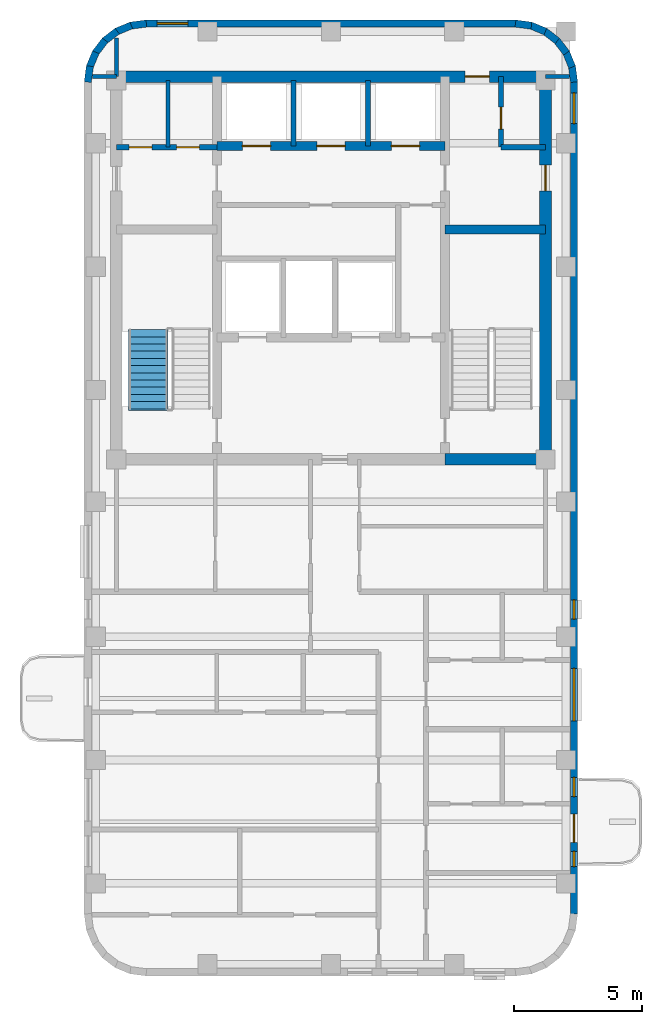
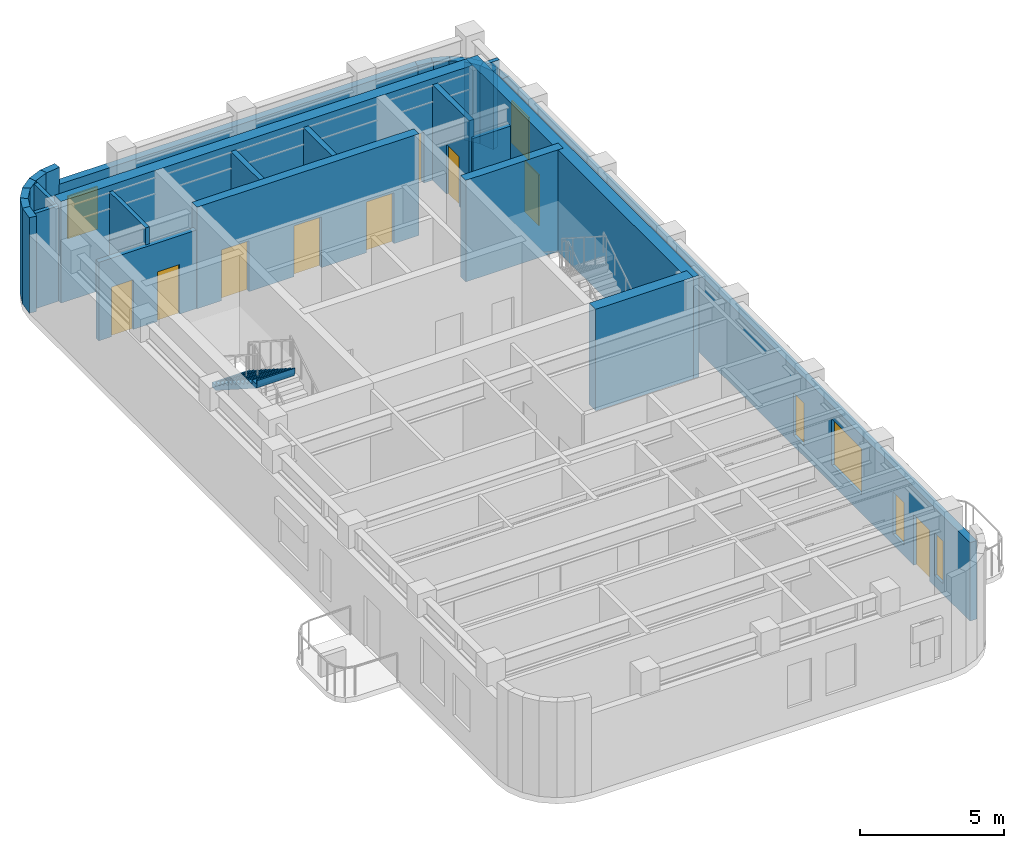
# One storey, part 4 of 6: 28 walls, 9 doors, 6 windows, 1 stair flight, 15 openings, 1 element without a shape of its own.
"""IFC4 building model written with IfcOpenShell, lengths in metres."""

from ifc_helpers import new_model, si_unit, direction, frame, frame_2d, origin, place, context, subcontext, project, spatial, polyline, rectangle, outline, extrude, material, layer, layer_set, type_object, element, fill, aggregate, save


model = new_model("IFC4")

# Units and contexts
model_context = context("Model", 3, precision=1e-05, world=origin(), true_north=direction((0.0, 1.0)))
body_context = subcontext(model_context, "Body", "Model", "MODEL_VIEW")
ifc_project = project(units=[si_unit("LENGTHUNIT", "METRE"), si_unit("AREAUNIT", "SQUARE_METRE"), si_unit("VOLUMEUNIT", "CUBIC_METRE"), si_unit("PLANEANGLEUNIT", "RADIAN"), si_unit("MASSUNIT", "GRAM", prefix="KILO")], contexts=[model_context])

# Site, building, storey
site_placement = place(None, origin())
site = spatial("IfcSite", under=ifc_project, at=site_placement, CompositionType="ELEMENT")
building_placement = place(site_placement, origin())
building = spatial("IfcBuilding", under=site, at=building_placement, Name="Orvandelia Arch Residences", CompositionType="ELEMENT")
storey_placement = place(building_placement, frame((0.0, 0.0, 265.60009765625)))
storey = spatial("IfcBuildingStorey", under=building, at=storey_placement, Name="L69", CompositionType="ELEMENT", Elevation=265.60009765625)

# Wall
ifc_material_1 = material(Name="Concrete C50/60", Category="concrete")
ifc_layer_1 = layer(ifc_material_1, 0.35009765625, Name="Concrete C50/60", Category="concrete")
ifc_layer_set_1 = layer_set([ifc_layer_1], Name="Concrete C50/60")
wall_type_1 = type_object("IfcWallType", Name="WL-CORE-350", PredefinedType="SHEAR", material=ifc_layer_set_1)
wall_1_placement = place(storey_placement, frame((18.840087890625, 39.85009765625, 0.0), z_axis=(0.0, 0.0, 1.0), x_axis=(1.0, 0.0, 0.0)))
element("IfcWall", 1, at=wall_1_placement, inside=storey, type_object=wall_type_1, Name="Core Shear Wall L69-HZ2", PredefinedType="SHEAR", context=body_context, shape_type="SweptSolid", body=[
    extrude(rectangle(XDim=3.909912109375, YDim=0.35009765625, at=frame_2d((1.955078125, 0.0))), origin(), (0.0, 0.0, 1.0), 4.2998046875),
])

# Wall, openings, doors
wall_2_placement = place(storey_placement, frame((9.9599609375, 43.10009765625, 0.0), z_axis=(0.0, 0.0, 1.0), x_axis=(1.0, 0.0, 0.0)))
wall_2 = element("IfcWall", 2, at=wall_2_placement, inside=storey, type_object=wall_type_1, Name="Core Shear Wall L69-HZ4", PredefinedType="SHEAR", context=body_context, shape_type="SweptSolid", body=[
    extrude(rectangle(XDim=8.880126953125, YDim=0.35009765625, at=frame_2d((4.43994140625, 0.0))), origin(), (0.0, 0.0, 1.0), 4.2998046875),
])
opening_1_placement = place(wall_2_placement, frame((0.989990234375, 0.0, 0.0)))
opening_1 = element("IfcOpeningElement", 3, at=opening_1_placement, cuts=wall_2, Name="Opening LD", PredefinedType="OPENING", context=body_context, shape_type="SweptSolid", body=[
    extrude(rectangle(XDim=1.10009765625, YDim=2.14990234375, at=frame_2d((0.550048828125, 1.074951171875))), frame((0.0, 0.18505859375, 0.0), z_axis=(0.0, -1.0, 0.0), x_axis=(1.0, 0.0, 0.0)), (0.0, 0.0, 1.0), 0.3701171875),
])
opening_2_placement = place(wall_2_placement, frame((3.889892578125, 0.0, 0.0)))
opening_2 = element("IfcOpeningElement", 4, at=opening_2_placement, cuts=wall_2, Name="Opening LD", PredefinedType="OPENING", context=body_context, shape_type="SweptSolid", body=[
    extrude(rectangle(XDim=1.10009765625, YDim=2.14990234375, at=frame_2d((0.550048828125, 1.074951171875))), frame((0.0, 0.18505859375, 0.0), z_axis=(0.0, -1.0, 0.0), x_axis=(1.0, 0.0, 0.0)), (0.0, 0.0, 1.0), 0.3701171875),
])
opening_3_placement = place(wall_2_placement, frame((6.7900390625, 0.0, 0.0)))
opening_3 = element("IfcOpeningElement", 5, at=opening_3_placement, cuts=wall_2, Name="Opening LD", PredefinedType="OPENING", context=body_context, shape_type="SweptSolid", body=[
    extrude(rectangle(XDim=1.10009765625, YDim=2.14990234375, at=frame_2d((0.550048828125, 1.074951171875))), frame((0.0, 0.18505859375, 0.0), z_axis=(0.0, -1.0, 0.0), x_axis=(1.0, 0.0, 0.0)), (0.0, 0.0, 1.0), 0.3701171875),
])
ifc_material_2 = material(Name="Brushed Stainless Steel Sliding Lift Door", Category="steel")
door_type_1 = type_object("IfcDoorType", Name="DR-LIFT-1100", OperationType="NOTDEFINED", PredefinedType="DOOR", material=ifc_material_2)
door_1_placement = place(opening_1_placement, origin())
door_1 = element("IfcDoor", 6, at=door_1_placement, inside=storey, type_object=door_type_1, Name="Lift Landing Door LD-PH1-L69", OperationType="SLIDING_TO_LEFT", OverallHeight=2.14990234375, OverallWidth=1.10009765625, PredefinedType="DOOR", context=body_context, shape_type="SweptSolid", body=[
    extrude(rectangle(XDim=1.10009765625, YDim=2.14990234375, at=frame_2d((0.550048828125, 1.074951171875))), frame((0.0, 0.02490234375, 0.0), z_axis=(0.0, -1.0, 0.0), x_axis=(1.0, 0.0, 0.0)), (0.0, 0.0, 1.0), 0.050048828125),
])
fill(opening_1, door_1)
door_2_placement = place(opening_2_placement, origin())
door_2 = element("IfcDoor", 7, at=door_2_placement, inside=storey, type_object=door_type_1, Name="Lift Landing Door LD-PH2-L69", OperationType="SLIDING_TO_RIGHT", OverallHeight=2.14990234375, OverallWidth=1.10009765625, PredefinedType="DOOR", context=body_context, shape_type="SweptSolid", body=[
    extrude(rectangle(XDim=1.10009765625, YDim=2.14990234375, at=frame_2d((0.550048828125, 1.074951171875))), frame((0.0, 0.02490234375, 0.0), z_axis=(0.0, -1.0, 0.0), x_axis=(1.0, 0.0, 0.0)), (0.0, 0.0, 1.0), 0.050048828125),
])
fill(opening_2, door_2)
door_3_placement = place(opening_3_placement, origin())
door_3 = element("IfcDoor", 8, at=door_3_placement, inside=storey, type_object=door_type_1, Name="Lift Landing Door LD-PH3-L69", OperationType="SLIDING_TO_LEFT", OverallHeight=2.14990234375, OverallWidth=1.10009765625, PredefinedType="DOOR", context=body_context, shape_type="SweptSolid", body=[
    extrude(rectangle(XDim=1.10009765625, YDim=2.14990234375, at=frame_2d((0.550048828125, 1.074951171875))), frame((0.0, 0.02490234375, 0.0), z_axis=(0.0, -1.0, 0.0), x_axis=(1.0, 0.0, 0.0)), (0.0, 0.0, 1.0), 0.050048828125),
])
fill(opening_3, door_3)

# Wall, opening, door
ifc_layer_2 = layer(ifc_material_1, 0.449951171875, Name="Concrete C50/60", Category="concrete")
ifc_layer_set_2 = layer_set([ifc_layer_2], Name="Concrete C50/60")
wall_type_2 = type_object("IfcWallType", Name="WL-CORE-450", PredefinedType="SHEAR", material=ifc_layer_set_2)
wall_3_placement = place(storey_placement, frame((22.75, 30.675048828125, 0.0), z_axis=(0.0, 0.0, 1.0), x_axis=(0.0, 1.0, 0.0)))
wall_3 = element("IfcWall", 9, at=wall_3_placement, inside=storey, type_object=wall_type_2, Name="Core Shear Wall L69-E", PredefinedType="SHEAR", context=body_context, shape_type="SweptSolid", body=[
    extrude(rectangle(XDim=15.349853515625, YDim=0.449951171875, at=frame_2d((7.6748046875, 0.0))), origin(), (0.0, 0.0, 1.0), 4.2998046875),
])
opening_4_placement = place(wall_3_placement, frame((10.675048828125, 0.0, 0.0)))
opening_4 = element("IfcOpeningElement", 10, at=opening_4_placement, cuts=wall_3, Name="Opening D6", PredefinedType="OPENING", context=body_context, shape_type="SweptSolid", body=[
    extrude(rectangle(XDim=1.0, YDim=2.14990234375, at=frame_2d((0.5, 1.074951171875))), frame((0.0, 0.23486328125, 0.0), z_axis=(0.0, -1.0, 0.0), x_axis=(1.0, 0.0, 0.0)), (0.0, 0.0, 1.0), 0.469970703125),
])
ifc_material_3 = material(Name="Smokeproof Painted Steel Fire Door", Category="steel")
door_type_2 = type_object("IfcDoorType", Name="DR-FD60-1000", OperationType="NOTDEFINED", PredefinedType="DOOR", material=ifc_material_3)
door_4_placement = place(opening_4_placement, origin())
door_4 = element("IfcDoor", 11, at=door_4_placement, inside=storey, type_object=door_type_2, Name="Core East Corridor Link Door L69", OperationType="SINGLE_SWING_LEFT", OverallHeight=2.14990234375, OverallWidth=1.0, PredefinedType="DOOR", context=body_context, shape_type="SweptSolid", body=[
    extrude(rectangle(XDim=1.0, YDim=2.14990234375, at=frame_2d((0.5, 1.074951171875))), frame((0.0, 0.02490234375, 0.0), z_axis=(0.0, -1.0, 0.0), x_axis=(1.0, 0.0, 0.0)), (0.0, 0.0, 1.0), 0.050048828125),
])
fill(opening_4, door_4)

wall_4_placement = place(storey_placement, frame((6.050048828125, 45.800048828125, 0.0), z_axis=(0.0, 0.0, 1.0), x_axis=(1.0, 0.0, 0.0)))
wall_4 = element("IfcWall", 12, at=wall_4_placement, inside=storey, type_object=wall_type_2, Name="Core Shear Wall L69-N", PredefinedType="SHEAR", context=body_context, shape_type="SweptSolid", body=[
    extrude(rectangle(XDim=16.699951171875, YDim=0.449951171875, at=frame_2d((8.35009765625, 0.0))), origin(), (0.0, 0.0, 1.0), 4.2998046875),
])
opening_5_placement = place(wall_4_placement, frame((13.570068359375, 0.0, 0.0)))
opening_5 = element("IfcOpeningElement", 13, at=opening_5_placement, cuts=wall_4, Name="Opening D2", PredefinedType="OPENING", context=body_context, shape_type="SweptSolid", body=[
    extrude(rectangle(XDim=0.949951171875, YDim=2.14990234375, at=frame_2d((0.47509765625, 1.074951171875))), frame((0.0, 0.23486328125, 0.0), z_axis=(0.0, -1.0, 0.0), x_axis=(1.0, 0.0, 0.0)), (0.0, 0.0, 1.0), 0.469970703125),
])
ifc_material_4 = material(Name="Solid-Core Timber Interior Fire Door", Category="wood")
door_type_3 = type_object("IfcDoorType", Name="DR-APT-950", OperationType="NOTDEFINED", PredefinedType="DOOR", material=ifc_material_4)
door_5_placement = place(opening_5_placement, origin())
door_5 = element("IfcDoor", 14, at=door_5_placement, inside=storey, type_object=door_type_3, Name="North Harbour Suite Entry Door L69", OperationType="SINGLE_SWING_LEFT", OverallHeight=2.14990234375, OverallWidth=0.949951171875, PredefinedType="DOOR", context=body_context, shape_type="SweptSolid", body=[
    extrude(rectangle(XDim=0.949951171875, YDim=2.14990234375, at=frame_2d((0.47509765625, 1.074951171875))), frame((0.0, 0.02490234375, 0.0), z_axis=(0.0, -1.0, 0.0), x_axis=(1.0, 0.0, 0.0)), (0.0, 0.0, 1.0), 0.050048828125),
])
fill(opening_5, door_5)

# Walls
wall_5_placement = place(storey_placement, frame((18.840087890625, 30.89990234375, 0.0), z_axis=(0.0, 0.0, 1.0), x_axis=(1.0, 0.0, 0.0)))
element("IfcWall", 15, at=wall_5_placement, inside=storey, type_object=wall_type_2, Name="Core Shear Wall L69-SE", PredefinedType="SHEAR", context=body_context, shape_type="SweptSolid", body=[
    extrude(rectangle(XDim=3.909912109375, YDim=0.449951171875, at=frame_2d((1.955078125, 0.0))), origin(), (0.0, 0.0, 1.0), 4.2998046875),
])
ifc_material_5 = material(Name="Precast concrete C40/50", Category="concrete")
ifc_layer_3 = layer(ifc_material_5, 0.280029296875, Name="Precast concrete C40/50", Category="concrete")
ifc_layer_set_3 = layer_set([ifc_layer_3], Name="Precast concrete C40/50")
wall_type_3 = type_object("IfcWallType", Name="WL-EXT-STONE-280", PredefinedType="STANDARD", material=ifc_layer_set_3)
for number, where, z_axis, x_axis, name in (
    (16, (4.938720703125, 45.581787109375, 0.0), (0.0, 0.0, 1.0), (0.130555323746, 0.9914410257, 0.0), "Coral-Limestone Precast Facade Wall L69-001"),
    (17, (5.010986328125, 46.16748046875, 0.0), (0.0, 0.0, 1.0), (0.382650053678, 0.92389335771, 0.0), "Coral-Limestone Precast Facade Wall L69-002"),
    (18, (5.232666015625, 46.71484375, 0.0), (0.0, 0.0, 1.0), (0.608693302629, 0.793405610854, 0.0), "Coral-Limestone Precast Facade Wall L69-003"),
    (19, (5.588134765625, 47.18603515625, 0.0), (0.0, 0.0, 1.0), (0.793405610854, 0.608693302629, 0.0), "Coral-Limestone Precast Facade Wall L69-004"),
):
    element("IfcWall", number, at=place(storey_placement, frame(where, z_axis=z_axis, x_axis=x_axis)), inside=storey, type_object=wall_type_3, Name=name, PredefinedType="STANDARD", context=body_context, shape_type="SweptSolid", body=[
        extrude(rectangle(XDim=0.62646484375, YDim=0.280029296875, at=frame_2d((0.313232421875, 0.0))), origin(), (0.0, 0.0, 1.0), 4.039794921875),
    ])
wall_6_placement = place(storey_placement, frame((6.0537109375, 47.54931640625, 0.0), z_axis=(0.0, 0.0, 1.0), x_axis=(0.923974080304, 0.382455093999, 0.0)))
element("IfcWall", 20, at=wall_6_placement, inside=storey, type_object=wall_type_3, Name="Coral-Limestone Precast Facade Wall L69-005", PredefinedType="STANDARD", context=body_context, shape_type="SweptSolid", body=[
    extrude(rectangle(XDim=0.626220703125, YDim=0.280029296875, at=frame_2d((0.31298828125, 0.0))), origin(), (0.0, 0.0, 1.0), 4.039794921875),
])
wall_7_placement = place(storey_placement, frame((6.59716796875, 47.779296875, 0.0), z_axis=(0.0, 0.0, 1.0), x_axis=(0.9914410257, 0.130555323746, 0.0)))
element("IfcWall", 21, at=wall_7_placement, inside=storey, type_object=wall_type_3, Name="Coral-Limestone Precast Facade Wall L69-006", PredefinedType="STANDARD", context=body_context, shape_type="SweptSolid", body=[
    extrude(rectangle(XDim=0.62646484375, YDim=0.280029296875, at=frame_2d((0.313232421875, 0.0))), origin(), (0.0, 0.0, 1.0), 4.039794921875),
])

# Wall, opening, window
wall_8_placement = place(storey_placement, frame((7.199951171875, 47.860107421875, 0.0), z_axis=(0.0, 0.0, 1.0), x_axis=(1.0, 0.0, 0.0)))
wall_8 = element("IfcWall", 22, at=wall_8_placement, inside=storey, type_object=wall_type_3, Name="Coral-Limestone Precast Facade Wall L69-007", PredefinedType="STANDARD", context=body_context, shape_type="SweptSolid", body=[
    extrude(rectangle(XDim=14.400146484375, YDim=0.280029296875, at=frame_2d((7.2001953125, 0.0))), origin(), (0.0, 0.0, 1.0), 3.31982421875),
])
opening_6_placement = place(wall_8_placement, frame((0.4326171875, 0.0, 0.800048828125)))
opening_6 = element("IfcOpeningElement", 23, at=opening_6_placement, cuts=wall_8, Name="Opening W3", PredefinedType="OPENING", context=body_context, shape_type="SweptSolid", body=[
    extrude(rectangle(XDim=1.199951171875, YDim=1.800048828125, at=frame_2d((0.60009765625, 0.89990234375))), frame((0.0, 0.14990234375, 0.0), z_axis=(0.0, -1.0, 0.0), x_axis=(1.0, 0.0, 0.0)), (0.0, 0.0, 1.0), 0.300048828125),
])
ifc_material_6 = material(Name="Tempered Low-E Insulated Glazing", Category="glass")
window_type_1 = type_object("IfcWindowType", Name="WIN-RES-1200x1800", PartitioningType="SINGLE_PANEL", PredefinedType="WINDOW", material=ifc_material_6)
window_1_placement = place(opening_6_placement, origin())
window_1 = element("IfcWindow", 24, at=window_1_placement, inside=storey, type_object=window_type_1, Name="Recessed Punched Window L69-001", OverallHeight=1.800048828125, OverallWidth=1.199951171875, PartitioningType="SINGLE_PANEL", PredefinedType="WINDOW", context=body_context, shape_type="SweptSolid", body=[
    extrude(rectangle(XDim=1.199951171875, YDim=1.800048828125, at=frame_2d((0.60009765625, 0.89990234375))), frame((0.0, 0.030029296875, 0.0), z_axis=(0.0, -1.0, 0.0), x_axis=(1.0, 0.0, 0.0)), (0.0, 0.0, 1.0), 0.06005859375),
])
fill(opening_6, window_1)

# Walls
for number, where, z_axis, x_axis, name in (
    (25, (21.581787109375, 47.861083984375, 0.0), (0.0, 0.0, 1.0), (0.9914410257, -0.130555323746, 0.0), "Coral-Limestone Precast Facade Wall L69-008"),
    (26, (22.16748046875, 47.788818359375, 0.0), (0.0, 0.0, 1.0), (0.924031075431, -0.382317370307, 0.0), "Coral-Limestone Precast Facade Wall L69-009"),
    (27, (22.71484375, 47.5673828125, 0.0), (0.0, 0.0, 1.0), (0.793405610854, -0.608693302629, 0.0), "Coral-Limestone Precast Facade Wall L69-010"),
    (28, (23.18603515625, 47.2119140625, 0.0), (0.0, 0.0, 1.0), (0.608693302629, -0.793405610854, 0.0), "Coral-Limestone Precast Facade Wall L69-011"),
    (29, (23.54931640625, 46.746337890625, 0.0), (0.0, 0.0, 1.0), (0.382317370307, -0.924031075431, 0.0), "Coral-Limestone Precast Facade Wall L69-012"),
    (30, (23.779296875, 46.202880859375, 0.0), (0.0, 0.0, 1.0), (0.130555323746, -0.9914410257, 0.0), "Coral-Limestone Precast Facade Wall L69-013"),
):
    element("IfcWall", number, at=place(storey_placement, frame(where, z_axis=z_axis, x_axis=x_axis)), inside=storey, type_object=wall_type_3, Name=name, PredefinedType="STANDARD", context=body_context, shape_type="SweptSolid", body=[
        extrude(rectangle(XDim=0.62646484375, YDim=0.280029296875, at=frame_2d((0.313232421875, 0.0))), origin(), (0.0, 0.0, 1.0), 3.31982421875),
    ])

# Wall, openings, door, windows
wall_9_placement = place(storey_placement, frame((23.860107421875, 45.60009765625, 0.0), z_axis=(0.0, 0.0, 1.0), x_axis=(0.0, -1.0, 0.0)))
wall_9 = element("IfcWall", 31, at=wall_9_placement, inside=storey, type_object=wall_type_3, Name="Coral-Limestone Precast Facade Wall L69-014", PredefinedType="STANDARD", context=body_context, shape_type="SweptSolid", body=[
    extrude(rectangle(XDim=32.400146484375, YDim=0.280029296875, at=frame_2d((16.2001953125, 0.0))), origin(), (0.0, 0.0, 1.0), 3.31982421875),
])
opening_7_placement = place(wall_9_placement, frame((28.5, 0.0, 0.0)))
opening_7 = element("IfcOpeningElement", 32, at=opening_7_placement, cuts=wall_9, Name="Opening BD1", PredefinedType="OPENING", context=body_context, shape_type="SweptSolid", body=[
    extrude(rectangle(XDim=1.10009765625, YDim=2.14990234375, at=frame_2d((0.550048828125, 1.074951171875))), frame((0.0, 0.14990234375, 0.0), z_axis=(0.0, -1.0, 0.0), x_axis=(1.0, 0.0, 0.0)), (0.0, 0.0, 1.0), 0.300048828125),
])
opening_8_placement = place(wall_9_placement, frame((29.949951171875, 0.0, 0.449951171875)))
opening_8 = element("IfcOpeningElement", 33, at=opening_8_placement, cuts=wall_9, Name="Opening W12", PredefinedType="OPENING", context=body_context, shape_type="SweptSolid", body=[
    extrude(rectangle(XDim=0.60009765625, YDim=1.800048828125, at=frame_2d((0.300048828125, 0.89990234375))), frame((0.0, 0.14990234375, 0.0), z_axis=(0.0, -1.0, 0.0), x_axis=(1.0, 0.0, 0.0)), (0.0, 0.0, 1.0), 0.300048828125),
])
opening_9_placement = place(wall_9_placement, frame((22.8291015625, 0.0, 0.800048828125)))
opening_9 = element("IfcOpeningElement", 34, at=opening_9_placement, cuts=wall_9, Name="Opening W8", PredefinedType="OPENING", context=body_context, shape_type="SweptSolid", body=[
    extrude(rectangle(XDim=2.050048828125, YDim=1.949951171875, at=frame_2d((1.02490234375, 0.97509765625))), frame((0.0, 0.14990234375, 0.0), z_axis=(0.0, -1.0, 0.0), x_axis=(1.0, 0.0, 0.0)), (0.0, 0.0, 1.0), 0.300048828125),
])
opening_10_placement = place(wall_9_placement, frame((0.4326171875, 0.0, 0.800048828125)))
opening_10 = element("IfcOpeningElement", 35, at=opening_10_placement, cuts=wall_9, Name="Opening W3", PredefinedType="OPENING", context=body_context, shape_type="SweptSolid", body=[
    extrude(rectangle(XDim=1.199951171875, YDim=1.800048828125, at=frame_2d((0.60009765625, 0.89990234375))), frame((0.0, 0.14990234375, 0.0), z_axis=(0.0, -1.0, 0.0), x_axis=(1.0, 0.0, 0.0)), (0.0, 0.0, 1.0), 0.300048828125),
])
opening_11_placement = place(wall_9_placement, frame((27.076416015625, 0.0, 0.449951171875)))
opening_11 = element("IfcOpeningElement", 36, at=opening_11_placement, cuts=wall_9, Name="Opening W11", PredefinedType="OPENING", context=body_context, shape_type="SweptSolid", body=[
    extrude(rectangle(XDim=0.75, YDim=1.800048828125, at=frame_2d((0.375, 0.89990234375))), frame((0.0, 0.14990234375, 0.0), z_axis=(0.0, -1.0, 0.0), x_axis=(1.0, 0.0, 0.0)), (0.0, 0.0, 1.0), 0.300048828125),
])
opening_12_placement = place(wall_9_placement, frame((20.16748046875, 0.0, 0.449951171875)))
opening_12 = element("IfcOpeningElement", 37, at=opening_12_placement, cuts=wall_9, Name="Opening W11", PredefinedType="OPENING", context=body_context, shape_type="SweptSolid", body=[
    extrude(rectangle(XDim=0.75, YDim=1.800048828125, at=frame_2d((0.375, 0.89990234375))), frame((0.0, 0.14990234375, 0.0), z_axis=(0.0, -1.0, 0.0), x_axis=(1.0, 0.0, 0.0)), (0.0, 0.0, 1.0), 0.300048828125),
])
ifc_material_7 = material(Name="Thermally Broken Aluminium Glazed Door", Category="aluminium")
door_type_4 = type_object("IfcDoorType", Name="DR-BAL-GLAZ-1100", OperationType="NOTDEFINED", PredefinedType="DOOR", material=ifc_material_7)
door_6_placement = place(opening_7_placement, origin())
door_6 = element("IfcDoor", 38, at=door_6_placement, inside=storey, type_object=door_type_4, Name="Tree Balcony Glazed Door BAL-L69-W2", OperationType="SINGLE_SWING_LEFT", OverallHeight=2.14990234375, OverallWidth=1.10009765625, PredefinedType="DOOR", context=body_context, shape_type="SweptSolid", body=[
    extrude(rectangle(XDim=1.10009765625, YDim=2.14990234375, at=frame_2d((0.550048828125, 1.074951171875))), frame((0.0, 0.02490234375, 0.0), z_axis=(0.0, -1.0, 0.0), x_axis=(1.0, 0.0, 0.0)), (0.0, 0.0, 1.0), 0.050048828125),
])
fill(opening_7, door_6)
window_type_2 = type_object("IfcWindowType", Name="WIN-BED-0750x1800", PartitioningType="SINGLE_PANEL", PredefinedType="WINDOW", material=ifc_material_6)
window_2_placement = place(opening_11_placement, origin())
window_2 = element("IfcWindow", 39, at=window_2_placement, inside=storey, type_object=window_type_2, Name="Recessed Punched Window L69-005", OverallHeight=1.800048828125, OverallWidth=0.75, PartitioningType="SINGLE_PANEL", PredefinedType="WINDOW", context=body_context, shape_type="SweptSolid", body=[
    extrude(rectangle(XDim=0.75, YDim=1.800048828125, at=frame_2d((0.375, 0.89990234375))), frame((0.0, 0.030029296875, 0.0), z_axis=(0.0, -1.0, 0.0), x_axis=(1.0, 0.0, 0.0)), (0.0, 0.0, 1.0), 0.06005859375),
])
fill(opening_11, window_2)
window_3_placement = place(opening_12_placement, origin())
window_3 = element("IfcWindow", 40, at=window_3_placement, inside=storey, type_object=window_type_2, Name="Recessed Punched Window L69-006", OverallHeight=1.800048828125, OverallWidth=0.75, PartitioningType="SINGLE_PANEL", PredefinedType="WINDOW", context=body_context, shape_type="SweptSolid", body=[
    extrude(rectangle(XDim=0.75, YDim=1.800048828125, at=frame_2d((0.375, 0.89990234375))), frame((0.0, 0.030029296875, 0.0), z_axis=(0.0, -1.0, 0.0), x_axis=(1.0, 0.0, 0.0)), (0.0, 0.0, 1.0), 0.06005859375),
])
fill(opening_12, window_3)
window_type_3 = type_object("IfcWindowType", Name="WIN-LAN-0600x1800", PartitioningType="SINGLE_PANEL", PredefinedType="WINDOW", material=ifc_material_6)
window_4_placement = place(opening_8_placement, origin())
window_4 = element("IfcWindow", 41, at=window_4_placement, inside=storey, type_object=window_type_3, Name="Recessed Punched Window L69-002", OverallHeight=1.800048828125, OverallWidth=0.60009765625, PartitioningType="SINGLE_PANEL", PredefinedType="WINDOW", context=body_context, shape_type="SweptSolid", body=[
    extrude(rectangle(XDim=0.60009765625, YDim=1.800048828125, at=frame_2d((0.300048828125, 0.89990234375))), frame((0.0, 0.030029296875, 0.0), z_axis=(0.0, -1.0, 0.0), x_axis=(1.0, 0.0, 0.0)), (0.0, 0.0, 1.0), 0.06005859375),
])
fill(opening_8, window_4)
window_5_placement = place(opening_10_placement, origin())
window_5 = element("IfcWindow", 42, at=window_5_placement, inside=storey, type_object=window_type_1, Name="Recessed Punched Window L69-004", OverallHeight=1.800048828125, OverallWidth=1.199951171875, PartitioningType="SINGLE_PANEL", PredefinedType="WINDOW", context=body_context, shape_type="SweptSolid", body=[
    extrude(rectangle(XDim=1.199951171875, YDim=1.800048828125, at=frame_2d((0.60009765625, 0.89990234375))), frame((0.0, 0.030029296875, 0.0), z_axis=(0.0, -1.0, 0.0), x_axis=(1.0, 0.0, 0.0)), (0.0, 0.0, 1.0), 0.06005859375),
])
fill(opening_10, window_5)
window_type_4 = type_object("IfcWindowType", Name="WIN-UPP-2050x1950", PartitioningType="SINGLE_PANEL", PredefinedType="WINDOW", material=ifc_material_6)
window_6_placement = place(opening_9_placement, origin())
window_6 = element("IfcWindow", 43, at=window_6_placement, inside=storey, type_object=window_type_4, Name="Recessed Punched Window L69-003", OverallHeight=1.949951171875, OverallWidth=2.050048828125, PartitioningType="SINGLE_PANEL", PredefinedType="WINDOW", context=body_context, shape_type="SweptSolid", body=[
    extrude(rectangle(XDim=2.050048828125, YDim=1.949951171875, at=frame_2d((1.02490234375, 0.97509765625))), frame((0.0, 0.030029296875, 0.0), z_axis=(0.0, -1.0, 0.0), x_axis=(1.0, 0.0, 0.0)), (0.0, 0.0, 1.0), 0.06005859375),
])
fill(opening_9, window_6)

# Walls
ifc_material_8 = material(Name="Acoustic Gypsum Stud Partition")
ifc_layer_4 = layer(ifc_material_8, 0.14990234375, Name="Acoustic Gypsum Stud Partition")
ifc_layer_set_4 = layer_set([ifc_layer_4], Name="Acoustic Gypsum Stud Partition")
wall_type_4 = type_object("IfcWallType", Name="WL-PART-150", PredefinedType="PARTITIONING", material=ifc_layer_set_4)
wall_10_placement = place(storey_placement, frame((8.06005859375, 43.050048828125, 0.0), z_axis=(0.0, 0.0, 1.0), x_axis=(0.0, 1.0, 0.0)))
element("IfcWall", 44, at=wall_10_placement, inside=storey, type_object=wall_type_4, Name="Interior Partition Wall WL-L69-CRELC-M", PredefinedType="PARTITIONING", context=body_context, shape_type="SweptSolid", body=[
    extrude(rectangle(XDim=2.599853515625, YDim=0.14990234375, at=frame_2d((1.2998046875, 0.0))), origin(), (0.0, 0.0, 1.0), 4.039794921875),
])
wall_11_placement = place(storey_placement, frame((5.1201171875, 45.800048828125, 0.0), z_axis=(0.0, 0.0, 1.0), x_axis=(1.0, 0.0, 0.0)))
element("IfcWall", 45, at=wall_11_placement, inside=storey, type_object=wall_type_4, Name="Interior Partition Wall WL-L69-WF-N", PredefinedType="PARTITIONING", context=body_context, shape_type="SweptSolid", body=[
    extrude(rectangle(XDim=0.929931640625, YDim=0.14990234375, at=frame_2d((0.46484375, 0.0))), origin(), (0.0, 0.0, 1.0), 4.039794921875),
])
wall_12_placement = place(storey_placement, frame((6.050048828125, 45.800048828125, 0.0), z_axis=(0.0, 0.0, 1.0), x_axis=(0.0, 1.0, 0.0)))
element("IfcWall", 46, at=wall_12_placement, inside=storey, type_object=wall_type_4, Name="Interior Partition Wall WL-L69-NHI-W6", PredefinedType="PARTITIONING", context=body_context, shape_type="SweptSolid", body=[
    extrude(rectangle(XDim=1.5, YDim=0.14990234375, at=frame_2d((0.75, 0.0))), origin(), (0.0, 0.0, 1.0), 4.039794921875),
])
wall_13_placement = place(storey_placement, frame((22.75, 45.800048828125, 0.0), z_axis=(0.0, 0.0, 1.0), x_axis=(1.0, 0.0, 0.0)))
element("IfcWall", 47, at=wall_13_placement, inside=storey, type_object=wall_type_4, Name="Interior Partition Wall WL-L69-SEFLK-N", PredefinedType="PARTITIONING", context=body_context, shape_type="SweptSolid", body=[
    extrude(rectangle(XDim=0.929931640625, YDim=0.14990234375, at=frame_2d((0.46484375, 0.0))), origin(), (0.0, 0.0, 1.0), 4.039794921875),
])
ifc_material_9 = material(Name="Fire-Rated Shaft Enclosure Wall")
ifc_layer_5 = layer(ifc_material_9, 0.199951171875, Name="Fire-Rated Shaft Enclosure Wall")
ifc_layer_set_5 = layer_set([ifc_layer_5], Name="Fire-Rated Shaft Enclosure Wall")
wall_type_5 = type_object("IfcWallType", Name="WL-SHAFT-200", PredefinedType="POLYGONAL", material=ifc_layer_set_5)
wall_14_placement = place(storey_placement, frame((21.02001953125, 43.050048828125, 0.0), z_axis=(0.0, 0.0, 1.0), x_axis=(1.0, 0.0, 0.0)))
element("IfcWall", 48, at=wall_14_placement, inside=storey, type_object=wall_type_5, Name="Interior Partition Wall WL-L69-HLE-N", PredefinedType="POLYGONAL", context=body_context, shape_type="SweptSolid", body=[
    extrude(rectangle(XDim=1.72998046875, YDim=0.199951171875, at=frame_2d((0.864990234375, 0.0))), origin(), (0.0, 0.0, 1.0), 3.31982421875),
])

# Wall, opening, door
wall_15_placement = place(storey_placement, frame((21.02001953125, 43.050048828125, 0.0), z_axis=(0.0, 0.0, 1.0), x_axis=(0.0, 1.0, 0.0)))
wall_15 = element("IfcWall", 49, at=wall_15_placement, inside=storey, type_object=wall_type_5, Name="Interior Partition Wall WL-L69-HLE-W21", PredefinedType="POLYGONAL", context=body_context, shape_type="SweptSolid", body=[
    extrude(rectangle(XDim=2.75, YDim=0.199951171875, at=frame_2d((1.375, 0.0))), origin(), (0.0, 0.0, 1.0), 4.039794921875),
])
opening_13_placement = place(wall_15_placement, frame((0.699951171875, 0.0, 0.0)))
opening_13 = element("IfcOpeningElement", 50, at=opening_13_placement, cuts=wall_15, Name="Opening D4", PredefinedType="OPENING", context=body_context, shape_type="SweptSolid", body=[
    extrude(rectangle(XDim=0.860107421875, YDim=2.10009765625, at=frame_2d((0.43017578125, 1.050048828125))), frame((0.0, 0.10986328125, 0.0), z_axis=(0.0, -1.0, 0.0), x_axis=(1.0, 0.0, 0.0)), (0.0, 0.0, 1.0), 0.219970703125),
])
ifc_material_10 = material(Name="Moisture-Sealed Timber Bathroom Door", Category="wood")
door_type_5 = type_object("IfcDoorType", Name="DR-WET-900", OperationType="NOTDEFINED", PredefinedType="DOOR", material=ifc_material_10)
door_7_placement = place(opening_13_placement, origin())
door_7 = element("IfcDoor", 51, at=door_7_placement, inside=storey, type_object=door_type_5, Name="DR-L69-CSB2", OperationType="SINGLE_SWING_RIGHT", OverallHeight=2.10009765625, OverallWidth=0.860107421875, PredefinedType="DOOR", context=body_context, shape_type="SweptSolid", body=[
    extrude(rectangle(XDim=0.860107421875, YDim=2.10009765625, at=frame_2d((0.43017578125, 1.050048828125))), frame((0.0, 0.02490234375, 0.0), z_axis=(0.0, -1.0, 0.0), x_axis=(1.0, 0.0, 0.0)), (0.0, 0.0, 1.0), 0.050048828125),
])
fill(opening_13, door_7)

# Wall, openings, doors
wall_16_placement = place(storey_placement, frame((6.050048828125, 43.050048828125, 0.0), z_axis=(0.0, 0.0, 1.0), x_axis=(1.0, 0.0, 0.0)))
wall_16 = element("IfcWall", 52, at=wall_16_placement, inside=storey, type_object=wall_type_5, Name="Interior Partition Wall WL-L69-HLW-N", PredefinedType="POLYGONAL", context=body_context, shape_type="SweptSolid", body=[
    extrude(rectangle(XDim=3.909912109375, YDim=0.199951171875, at=frame_2d((1.955078125, 0.0))), origin(), (0.0, 0.0, 1.0), 3.31982421875),
])
opening_14_placement = place(wall_16_placement, frame((0.5, 0.0, 0.0)))
opening_14 = element("IfcOpeningElement", 53, at=opening_14_placement, cuts=wall_16, Name="Opening D5", PredefinedType="OPENING", context=body_context, shape_type="SweptSolid", body=[
    extrude(rectangle(XDim=0.8798828125, YDim=2.10009765625, at=frame_2d((0.43994140625, 1.050048828125))), frame((0.0, 0.10986328125, 0.0), z_axis=(0.0, -1.0, 0.0), x_axis=(1.0, 0.0, 0.0)), (0.0, 0.0, 1.0), 0.219970703125),
])
opening_15_placement = place(wall_16_placement, frame((2.35009765625, 0.0, 0.0)))
opening_15 = element("IfcOpeningElement", 54, at=opening_15_placement, cuts=wall_16, Name="Opening D5", PredefinedType="OPENING", context=body_context, shape_type="SweptSolid", body=[
    extrude(rectangle(XDim=0.8798828125, YDim=2.10009765625, at=frame_2d((0.43994140625, 1.050048828125))), frame((0.0, 0.10986328125, 0.0), z_axis=(0.0, -1.0, 0.0), x_axis=(1.0, 0.0, 0.0)), (0.0, 0.0, 1.0), 0.219970703125),
])
ifc_material_11 = material(Name="Painted Galvanised Steel Service Door", Category="steel")
door_type_6 = type_object("IfcDoorType", Name="DR-SRV-880", OperationType="NOTDEFINED", PredefinedType="DOOR", material=ifc_material_11)
door_8_placement = place(opening_14_placement, origin())
door_8 = element("IfcDoor", 55, at=door_8_placement, inside=storey, type_object=door_type_6, Name="DR-L69-CRELC1", OperationType="SINGLE_SWING_LEFT", OverallHeight=2.10009765625, OverallWidth=0.8798828125, PredefinedType="DOOR", context=body_context, shape_type="SweptSolid", body=[
    extrude(rectangle(XDim=0.8798828125, YDim=2.10009765625, at=frame_2d((0.43994140625, 1.050048828125))), frame((0.0, 0.02490234375, 0.0), z_axis=(0.0, -1.0, 0.0), x_axis=(1.0, 0.0, 0.0)), (0.0, 0.0, 1.0), 0.050048828125),
])
fill(opening_14, door_8)
door_9_placement = place(opening_15_placement, origin())
door_9 = element("IfcDoor", 56, at=door_9_placement, inside=storey, type_object=door_type_6, Name="DR-L69-CRELC2", OperationType="SINGLE_SWING_RIGHT", OverallHeight=2.10009765625, OverallWidth=0.8798828125, PredefinedType="DOOR", context=body_context, shape_type="SweptSolid", body=[
    extrude(rectangle(XDim=0.8798828125, YDim=2.10009765625, at=frame_2d((0.43994140625, 1.050048828125))), frame((0.0, 0.02490234375, 0.0), z_axis=(0.0, -1.0, 0.0), x_axis=(1.0, 0.0, 0.0)), (0.0, 0.0, 1.0), 0.050048828125),
])
fill(opening_15, door_9)

# Walls
for number, where, z_axis, x_axis, name in (
    (57, (12.949951171875, 43.10009765625, 0.0), (0.0, 0.0, 1.0), (0.0, 1.0, 0.0), "Interior Partition Wall WL-L69-PHD1"),
    (58, (15.85009765625, 43.10009765625, 0.0), (0.0, 0.0, 1.0), (0.0, 1.0, 0.0), "Interior Partition Wall WL-L69-PHD2"),
):
    element("IfcWall", number, at=place(storey_placement, frame(where, z_axis=z_axis, x_axis=x_axis)), inside=storey, type_object=wall_type_5, Name=name, PredefinedType="POLYGONAL", context=body_context, shape_type="SweptSolid", body=[
        extrude(rectangle(XDim=2.5498046875, YDim=0.199951171875, at=frame_2d((1.27490234375, 0.0))), origin(), (0.0, 0.0, 1.0), 4.039794921875),
    ])

# Stair, stair flight
ifc_material_12 = material(Name="Concrete C40/50", Category="concrete")
stair_type = type_object("IfcStairType", Name="STAIR-RC-DOGLEG", PredefinedType="HALF_TURN_STAIR", material=ifc_material_12)
stair_placement = place(storey_placement, origin())
stair = element("IfcStair", 59, at=stair_placement, inside=storey, type_object=stair_type, Name="L69 Protected Exit Stair ST-1", PredefinedType="HALF_TURN_STAIR")
stair_flight_type = type_object("IfcStairFlightType", Name="STFLT-RC-1520", PredefinedType="STRAIGHT", material=ifc_material_12)
stair_flight_placement = place(storey_placement, frame((7.2900390625, 35.949951171875, 2.14990234375), z_axis=(0.0, 0.0, 1.0), x_axis=(0.0, -1.0, 0.0)))
stair_flight = element("IfcStairFlight", 60, at=stair_flight_placement, type_object=stair_flight_type, Name="ST-1 flight 2", NumberOfRisers=12, NumberOfTreads=11, PredefinedType="STRAIGHT", RiserHeight=0.179166667, TreadLength=0.28, context=body_context, shape_type="SweptSolid", body=[
    extrude(outline(polyline([(0.0, 0.0), (0.0, 0.17919921875), (0.280029296875, 0.17919921875), (0.280029296875, 0.3583984375), (0.56005859375, 0.3583984375), (0.56005859375, 0.53759765625), (0.840087890625, 0.53759765625), (0.840087890625, 0.716552734375), (1.1201171875, 0.716552734375), (1.1201171875, 0.895751953125), (1.39990234375, 0.895751953125), (1.39990234375, 1.074951171875), (1.679931640625, 1.074951171875), (1.679931640625, 1.254150390625), (1.9599609375, 1.254150390625), (1.9599609375, 1.433349609375), (2.239990234375, 1.433349609375), (2.239990234375, 1.612548828125), (2.52001953125, 1.612548828125), (2.52001953125, 1.791748046875), (2.800048828125, 1.791748046875), (2.800048828125, 1.970947265625), (3.080078125, 1.970947265625), (3.080078125, 2.14990234375), (3.139892578125, 2.14990234375), (3.139892578125, 1.969970703125), (3.080078125, 1.79296875), (0.278076171875, 0.0), (0.0, 0.0)])), frame((0.0, 0.760009765625, 0.0), z_axis=(0.0, -1.0, 0.0), x_axis=(1.0, 0.0, 0.0)), (0.0, 0.0, 1.0), 1.52001953125),
])
aggregate(stair, [stair_flight])

save(model, "model.ifc")
